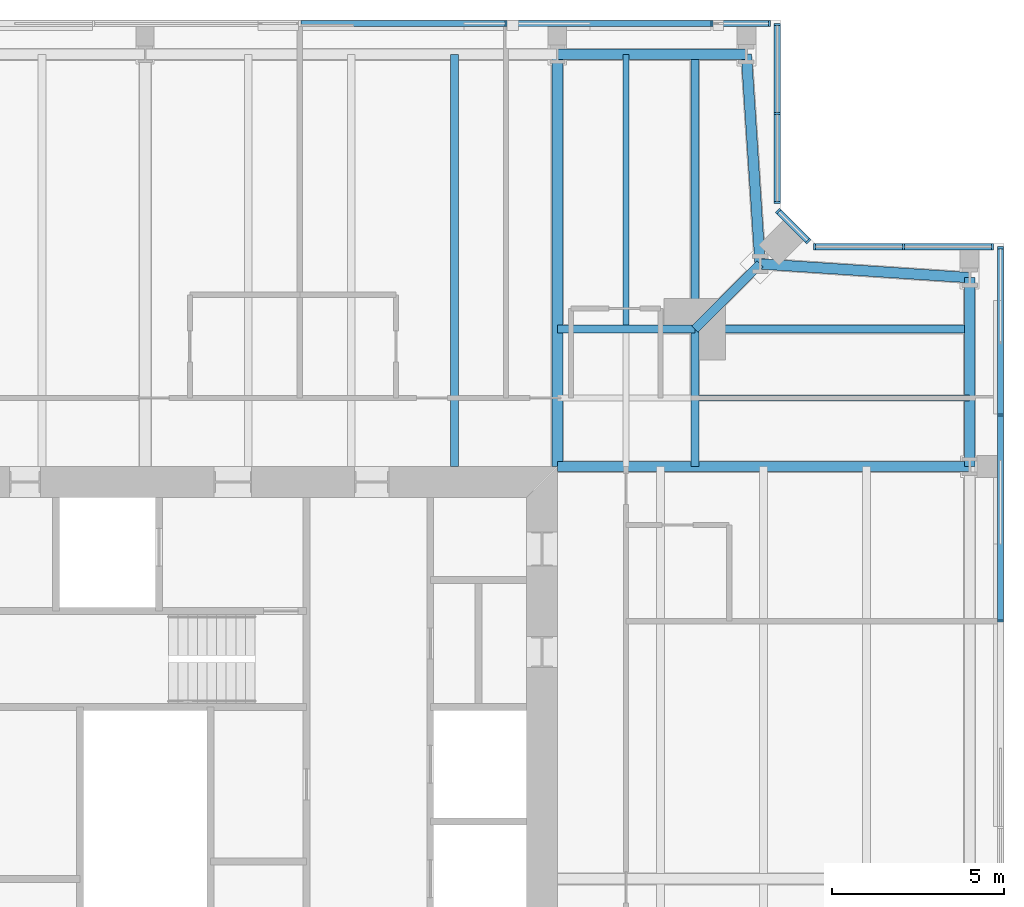
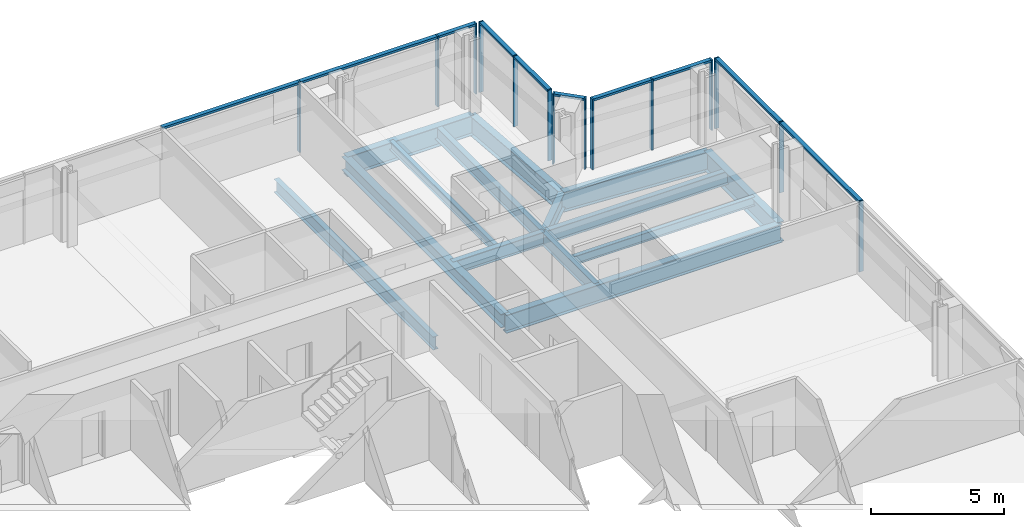
# One storey, part 9 of 19: 24 members, 14 beams, 5 elements without a shape of their own.
"""IFC4 building model written with IfcOpenShell, lengths in metres."""

from ifc_helpers import new_model, si_unit, direction, frame, origin, origin_2d, place, context, subcontext, project, spatial, rectangle, i_section, extrude, material, material_profile, profile_set, type_object, element, aggregate, save


model = new_model("IFC4")

# Units and contexts
model_context = context("Model", 3, precision=1e-05, world=origin(), true_north=direction((0.0, 1.0)))
body_context = subcontext(model_context, "Body", "Model", "MODEL_VIEW")
ifc_project = project(units=[si_unit("LENGTHUNIT", "METRE"), si_unit("AREAUNIT", "SQUARE_METRE"), si_unit("VOLUMEUNIT", "CUBIC_METRE"), si_unit("PLANEANGLEUNIT", "RADIAN"), si_unit("MASSUNIT", "GRAM", prefix="KILO")], contexts=[model_context])

# Site, building, storey
site_placement = place(None, origin())
site = spatial("IfcSite", under=ifc_project, at=site_placement, CompositionType="ELEMENT")
building_placement = place(site_placement, origin())
building = spatial("IfcBuilding", under=site, at=building_placement, Name="Fenwick Lantern Interchange", CompositionType="ELEMENT")
storey_placement = place(building_placement, frame((0.0, 0.0, 273.0)))
storey = spatial("IfcBuildingStorey", under=building, at=storey_placement, Name="L65", CompositionType="ELEMENT", Elevation=273.0)

# Beams
ifc_material_1 = material(Name="Steel ASTM A992 Grade 50", Category="steel")
ifc_material_profile_1 = material_profile(ifc_material_1, i_section(OverallWidth=0.3046875, OverallDepth=0.911865234375, WebThickness=0.015869140625, FlangeThickness=0.02392578125, at=origin_2d()), Name="W36X150")
ifc_profile_set_1 = profile_set([ifc_material_profile_1], Name="Steel ASTM A992 Grade 50")
beam_type_1 = type_object("IfcBeamType", Name="EDGE BEAM W36X150", PredefinedType="SPANDREL", material=ifc_profile_set_1)
beam_1_placement = place(storey_placement, frame((49.0, 37.0, -0.60595703125), z_axis=(0.0, 1.0, 0.0), x_axis=(-1.0, 0.0, 0.0)))
element("IfcBeam", 1, at=beam_1_placement, inside=storey, type_object=beam_type_1, Name="L65/FR/E/EB4", PredefinedType="SPANDREL", context=body_context, shape_type="SweptSolid", body=[
    extrude(i_section(OverallWidth=0.3046875, OverallDepth=0.911865234375, WebThickness=0.015869140625, FlangeThickness=0.02392578125, at=origin_2d()), origin(), (0.0, 0.0, 1.0), 5.5),
])
for number, where, z_axis, x_axis, name in (
    (2, (49.0, 42.5, -0.60595703125), (-0.997858060337, 0.065416293237, 0.0), (-0.065416293237, -0.997858060337, 0.0), "L65/FR/E/EBR1"),
    (3, (42.89990234375, 42.89990234375, -0.60595703125), (-0.065416293237, 0.997858060337, 0.0), (-0.997858060337, -0.065416293237, 0.0), "L65/FR/E/EBR2"),
):
    element("IfcBeam", number, at=place(storey_placement, frame(where, z_axis=z_axis, x_axis=x_axis)), inside=storey, type_object=beam_type_1, Name=name, PredefinedType="SPANDREL", context=body_context, shape_type="SweptSolid", body=[
        extrude(i_section(OverallWidth=0.3046875, OverallDepth=0.911865234375, WebThickness=0.015869140625, FlangeThickness=0.02392578125, at=origin_2d()), origin(), (0.0, 0.0, 1.0), 6.11328125),
    ])
beam_2_placement = place(storey_placement, frame((42.5, 49.0, -0.60595703125), z_axis=(-1.0, 0.0, 0.0), x_axis=(0.0, -1.0, 0.0)))
element("IfcBeam", 4, at=beam_2_placement, inside=storey, type_object=beam_type_1, Name="L65/FR/N/EB1", PredefinedType="SPANDREL", context=body_context, shape_type="SweptSolid", body=[
    extrude(i_section(OverallWidth=0.3046875, OverallDepth=0.911865234375, WebThickness=0.015869140625, FlangeThickness=0.02392578125, at=origin_2d()), origin(), (0.0, 0.0, 1.0), 5.5),
])
ifc_material_profile_2 = material_profile(ifc_material_1, i_section(OverallWidth=0.22900390625, OverallDepth=0.612060546875, WebThickness=0.011962890625, FlangeThickness=0.01953125, at=origin_2d()), Name="W24X84")
ifc_profile_set_2 = profile_set([ifc_material_profile_2], Name="Steel ASTM A992 Grade 50")
beam_type_2 = type_object("IfcBeamType", Name="FLOOR BEAM W24X84", PredefinedType="BEAM", material=ifc_profile_set_2)
beam_3_placement = place(storey_placement, frame((34.0, 49.0, -0.4560546875), z_axis=(0.0, -1.0, 0.0), x_axis=(1.0, 0.0, 0.0)))
element("IfcBeam", 5, at=beam_3_placement, inside=storey, type_object=beam_type_2, Name="L65/FR/N/R02", PredefinedType="BEAM", context=body_context, shape_type="SweptSolid", body=[
    extrude(i_section(OverallWidth=0.22900390625, OverallDepth=0.612060546875, WebThickness=0.011962890625, FlangeThickness=0.01953125, at=origin_2d()), origin(), (0.0, 0.0, 1.0), 12.0),
])

# Curtain wall, members
ifc_material_2 = material(Name="Aluminium curtain wall frame", Category="aluminium")
curtain_wall_type = type_object("IfcCurtainWallType", Name="HOTEL CURTAIN WALL", PredefinedType="USERDEFINED", material=ifc_material_2)
curtain_wall_1_placement = place(storey_placement, origin())
curtain_wall_1 = element("IfcCurtainWall", 6, at=curtain_wall_1_placement, inside=storey, type_object=curtain_wall_type, Name="Hotel curtain wall 05", ObjectType="HOTEL CURTAIN WALL", PredefinedType="USERDEFINED")
ifc_material_3 = material(Name="Aluminium extrusion", Category="aluminium")
ifc_material_profile_3 = material_profile(ifc_material_3, rectangle(XDim=0.179931640625, YDim=0.06005859375, at=origin_2d()), Name="HOTEL CURTAIN WALL MULLION 60 X 180")
ifc_profile_set_3 = profile_set([ifc_material_profile_3], Name="Aluminium extrusion")
member_type_1 = type_object("IfcMemberType", Name="HOTEL CURTAIN WALL MULLION 60 X 180", PredefinedType="MULLION", material=ifc_profile_set_3)
member_1_placement = place(storey_placement, frame((49.89990234375, 32.5, 0.0), z_axis=(0.0, 0.0, 1.0), x_axis=(-1.0, 0.0, 0.0)))
member_1 = element("IfcMember", 7, at=member_1_placement, type_object=member_type_1, Name="L65/CW/05/M05", PredefinedType="MULLION", context=body_context, shape_type="SweptSolid", body=[
    extrude(rectangle(XDim=0.179931640625, YDim=0.06005859375, at=origin_2d()), origin(), (0.0, 0.0, 1.0), 3.25),
])
member_2_placement = place(storey_placement, frame((49.89990234375, 38.5, 0.0), z_axis=(0.0, 0.0, 1.0), x_axis=(-1.0, 0.0, 0.0)))
member_2 = element("IfcMember", 8, at=member_2_placement, type_object=member_type_1, Name="L65/CW/05/M06", PredefinedType="MULLION", context=body_context, shape_type="SweptSolid", body=[
    extrude(rectangle(XDim=0.179931640625, YDim=0.06005859375, at=origin_2d()), origin(), (0.0, 0.0, 1.0), 3.25),
])
member_3_placement = place(storey_placement, frame((49.89990234375, 43.3701171875, 0.0), z_axis=(0.0, 0.0, 1.0), x_axis=(-1.0, 0.0, 0.0)))
member_3 = element("IfcMember", 9, at=member_3_placement, type_object=member_type_1, Name="L65/CW/05/M07", PredefinedType="MULLION", context=body_context, shape_type="SweptSolid", body=[
    extrude(rectangle(XDim=0.179931640625, YDim=0.06005859375, at=origin_2d()), origin(), (0.0, 0.0, 1.0), 3.25),
])

curtain_wall_2_placement = place(storey_placement, origin())
curtain_wall_2 = element("IfcCurtainWall", 10, at=curtain_wall_2_placement, inside=storey, type_object=curtain_wall_type, Name="Hotel curtain wall 06", ObjectType="HOTEL CURTAIN WALL", PredefinedType="USERDEFINED")
member_4_placement = place(storey_placement, frame((49.669921875, 43.39990234375, 0.0), z_axis=(0.0, 0.0, 1.0), x_axis=(0.0, -1.0, 0.0)))
member_4 = element("IfcMember", 11, at=member_4_placement, type_object=member_type_1, Name="L65/CW/06/M00", PredefinedType="MULLION", context=body_context, shape_type="SweptSolid", body=[
    extrude(rectangle(XDim=0.179931640625, YDim=0.06005859375, at=origin_2d()), origin(), (0.0, 0.0, 1.0), 3.25),
])
member_5_placement = place(storey_placement, frame((47.079345703125, 43.39990234375, 0.0), z_axis=(0.0, 0.0, 1.0), x_axis=(0.0, -1.0, 0.0)))
member_5 = element("IfcMember", 12, at=member_5_placement, type_object=member_type_1, Name="L65/CW/06/M01", PredefinedType="MULLION", context=body_context, shape_type="SweptSolid", body=[
    extrude(rectangle(XDim=0.179931640625, YDim=0.06005859375, at=origin_2d()), origin(), (0.0, 0.0, 1.0), 3.25),
])
member_6_placement = place(storey_placement, frame((44.488525390625, 43.39990234375, 0.0), z_axis=(0.0, 0.0, 1.0), x_axis=(0.0, -1.0, 0.0)))
member_6 = element("IfcMember", 13, at=member_6_placement, type_object=member_type_1, Name="L65/CW/06/M02", PredefinedType="MULLION", context=body_context, shape_type="SweptSolid", body=[
    extrude(rectangle(XDim=0.179931640625, YDim=0.06005859375, at=origin_2d()), origin(), (0.0, 0.0, 1.0), 3.25),
])

curtain_wall_3_placement = place(storey_placement, origin())
curtain_wall_3 = element("IfcCurtainWall", 14, at=curtain_wall_3_placement, inside=storey, type_object=curtain_wall_type, Name="Hotel curtain wall 07", ObjectType="HOTEL CURTAIN WALL", PredefinedType="USERDEFINED")
member_7_placement = place(storey_placement, frame((44.2958984375, 43.562744140625, 0.0), z_axis=(0.0, 0.0, 1.0), x_axis=(-0.707106781187, -0.707106781187, 0.0)))
member_7 = element("IfcMember", 15, at=member_7_placement, type_object=member_type_1, Name="L65/CW/07/M00", PredefinedType="MULLION", context=body_context, shape_type="SweptSolid", body=[
    extrude(rectangle(XDim=0.179931640625, YDim=0.06005859375, at=origin_2d()), origin(), (0.0, 0.0, 1.0), 3.25),
])
member_8_placement = place(storey_placement, frame((43.421142578125, 44.437255859375, 0.0), z_axis=(0.0, 0.0, 1.0), x_axis=(-0.707106781187, -0.707106781187, 0.0)))
member_8 = element("IfcMember", 16, at=member_8_placement, type_object=member_type_1, Name="L65/CW/07/M01", PredefinedType="MULLION", context=body_context, shape_type="SweptSolid", body=[
    extrude(rectangle(XDim=0.179931640625, YDim=0.06005859375, at=origin_2d()), origin(), (0.0, 0.0, 1.0), 3.25),
])

curtain_wall_4_placement = place(storey_placement, origin())
curtain_wall_4 = element("IfcCurtainWall", 17, at=curtain_wall_4_placement, inside=storey, type_object=curtain_wall_type, Name="Hotel curtain wall 08", ObjectType="HOTEL CURTAIN WALL", PredefinedType="USERDEFINED")
member_9_placement = place(storey_placement, frame((43.39990234375, 44.6884765625, 0.0), z_axis=(0.0, 0.0, 1.0), x_axis=(-1.0, 0.0, 0.0)))
member_9 = element("IfcMember", 18, at=member_9_placement, type_object=member_type_1, Name="L65/CW/08/M00", PredefinedType="MULLION", context=body_context, shape_type="SweptSolid", body=[
    extrude(rectangle(XDim=0.179931640625, YDim=0.06005859375, at=origin_2d()), origin(), (0.0, 0.0, 1.0), 3.25),
])
member_10_placement = place(storey_placement, frame((43.39990234375, 47.279296875, 0.0), z_axis=(0.0, 0.0, 1.0), x_axis=(-1.0, 0.0, 0.0)))
member_10 = element("IfcMember", 19, at=member_10_placement, type_object=member_type_1, Name="L65/CW/08/M01", PredefinedType="MULLION", context=body_context, shape_type="SweptSolid", body=[
    extrude(rectangle(XDim=0.179931640625, YDim=0.06005859375, at=origin_2d()), origin(), (0.0, 0.0, 1.0), 3.25),
])
member_11_placement = place(storey_placement, frame((43.39990234375, 49.8701171875, 0.0), z_axis=(0.0, 0.0, 1.0), x_axis=(-1.0, 0.0, 0.0)))
member_11 = element("IfcMember", 20, at=member_11_placement, type_object=member_type_1, Name="L65/CW/08/M02", PredefinedType="MULLION", context=body_context, shape_type="SweptSolid", body=[
    extrude(rectangle(XDim=0.179931640625, YDim=0.06005859375, at=origin_2d()), origin(), (0.0, 0.0, 1.0), 3.25),
])

curtain_wall_5_placement = place(storey_placement, origin())
curtain_wall_5 = element("IfcCurtainWall", 21, at=curtain_wall_5_placement, inside=storey, type_object=curtain_wall_type, Name="Hotel curtain wall 09", ObjectType="HOTEL CURTAIN WALL", PredefinedType="USERDEFINED")
member_12_placement = place(storey_placement, frame((43.169921875, 49.89990234375, 0.0), z_axis=(0.0, 0.0, 1.0), x_axis=(0.0, -1.0, 0.0)))
member_12 = element("IfcMember", 22, at=member_12_placement, type_object=member_type_1, Name="L65/CW/09/M00", PredefinedType="MULLION", context=body_context, shape_type="SweptSolid", body=[
    extrude(rectangle(XDim=0.179931640625, YDim=0.06005859375, at=origin_2d()), origin(), (0.0, 0.0, 1.0), 3.25),
])
member_13_placement = place(storey_placement, frame((41.5, 49.89990234375, 0.0), z_axis=(0.0, 0.0, 1.0), x_axis=(0.0, -1.0, 0.0)))
member_13 = element("IfcMember", 23, at=member_13_placement, type_object=member_type_1, Name="L65/CW/09/M01", PredefinedType="MULLION", context=body_context, shape_type="SweptSolid", body=[
    extrude(rectangle(XDim=0.179931640625, YDim=0.06005859375, at=origin_2d()), origin(), (0.0, 0.0, 1.0), 3.25),
])
member_14_placement = place(storey_placement, frame((35.5, 49.89990234375, 0.0), z_axis=(0.0, 0.0, 1.0), x_axis=(0.0, -1.0, 0.0)))
member_14 = element("IfcMember", 24, at=member_14_placement, type_object=member_type_1, Name="L65/CW/09/M02", PredefinedType="MULLION", context=body_context, shape_type="SweptSolid", body=[
    extrude(rectangle(XDim=0.179931640625, YDim=0.06005859375, at=origin_2d()), origin(), (0.0, 0.0, 1.0), 3.25),
])

# Member
ifc_material_profile_4 = material_profile(ifc_material_3, rectangle(XDim=0.179931640625, YDim=0.10009765625, at=origin_2d()), Name="HOTEL CURTAIN WALL TRANSOM 100 X 180")
ifc_profile_set_4 = profile_set([ifc_material_profile_4], Name="Aluminium extrusion")
member_type_2 = type_object("IfcMemberType", Name="HOTEL CURTAIN WALL TRANSOM 100 X 180", PredefinedType="MULLION", material=ifc_profile_set_4)
member_15_placement = place(storey_placement, frame((49.89990234375, 32.530029296875, 3.199951171875), z_axis=(0.0, 1.0, 0.0), x_axis=(-1.0, 0.0, 0.0)))
member_15 = element("IfcMember", 25, at=member_15_placement, type_object=member_type_2, Name="L65/CW/05/T05", PredefinedType="MULLION", context=body_context, shape_type="SweptSolid", body=[
    extrude(rectangle(XDim=0.179931640625, YDim=0.10009765625, at=origin_2d()), origin(), (0.0, 0.0, 1.0), 5.93994140625),
])

member_16_placement = place(storey_placement, frame((49.89990234375, 38.530029296875, 3.199951171875), z_axis=(0.0, 1.0, 0.0), x_axis=(-1.0, 0.0, 0.0)))
member_16 = element("IfcMember", 26, at=member_16_placement, type_object=member_type_2, Name="L65/CW/05/T06", PredefinedType="MULLION", context=body_context, shape_type="SweptSolid", body=[
    extrude(rectangle(XDim=0.179931640625, YDim=0.10009765625, at=origin_2d()), origin(), (0.0, 0.0, 1.0), 4.81005859375),
])

aggregate(curtain_wall_1, [member_1, member_2, member_3, member_15, member_16])

member_17_placement = place(storey_placement, frame((49.639892578125, 43.39990234375, 3.199951171875), z_axis=(-1.0, 0.0, 0.0), x_axis=(0.0, -1.0, 0.0)))
member_17 = element("IfcMember", 27, at=member_17_placement, type_object=member_type_2, Name="L65/CW/06/T00", PredefinedType="MULLION", context=body_context, shape_type="SweptSolid", body=[
    extrude(rectangle(XDim=0.179931640625, YDim=0.10009765625, at=origin_2d()), origin(), (0.0, 0.0, 1.0), 2.530517578125),
])

member_18_placement = place(storey_placement, frame((47.04931640625, 43.39990234375, 3.199951171875), z_axis=(-1.0, 0.0, 0.0), x_axis=(0.0, -1.0, 0.0)))
member_18 = element("IfcMember", 28, at=member_18_placement, type_object=member_type_2, Name="L65/CW/06/T01", PredefinedType="MULLION", context=body_context, shape_type="SweptSolid", body=[
    extrude(rectangle(XDim=0.179931640625, YDim=0.10009765625, at=origin_2d()), origin(), (0.0, 0.0, 1.0), 2.53076171875),
])

aggregate(curtain_wall_2, [member_4, member_5, member_6, member_17, member_18])

member_19_placement = place(storey_placement, frame((44.274658203125, 43.583740234375, 3.199951171875), z_axis=(-0.707003077033, 0.707210470133, 0.0), x_axis=(-0.707210470133, -0.707003077033, 0.0)))
member_19 = element("IfcMember", 29, at=member_19_placement, type_object=member_type_2, Name="L65/CW/07/T00", PredefinedType="MULLION", context=body_context, shape_type="SweptSolid", body=[
    extrude(rectangle(XDim=0.179931640625, YDim=0.10009765625, at=origin_2d()), origin(), (0.0, 0.0, 1.0), 1.17724609375),
])

aggregate(curtain_wall_3, [member_7, member_8, member_19])

member_20_placement = place(storey_placement, frame((43.39990234375, 44.718505859375, 3.199951171875), z_axis=(0.0, 1.0, 0.0), x_axis=(-1.0, 0.0, 0.0)))
member_20 = element("IfcMember", 30, at=member_20_placement, type_object=member_type_2, Name="L65/CW/08/T00", PredefinedType="MULLION", context=body_context, shape_type="SweptSolid", body=[
    extrude(rectangle(XDim=0.179931640625, YDim=0.10009765625, at=origin_2d()), origin(), (0.0, 0.0, 1.0), 2.53076171875),
])

member_21_placement = place(storey_placement, frame((43.39990234375, 47.309326171875, 3.199951171875), z_axis=(0.0, 1.0, 0.0), x_axis=(-1.0, 0.0, 0.0)))
member_21 = element("IfcMember", 31, at=member_21_placement, type_object=member_type_2, Name="L65/CW/08/T01", PredefinedType="MULLION", context=body_context, shape_type="SweptSolid", body=[
    extrude(rectangle(XDim=0.179931640625, YDim=0.10009765625, at=origin_2d()), origin(), (0.0, 0.0, 1.0), 2.53076171875),
])

aggregate(curtain_wall_4, [member_9, member_10, member_11, member_20, member_21])

member_22_placement = place(storey_placement, frame((43.139892578125, 49.89990234375, 3.199951171875), z_axis=(-1.0, 0.0, 0.0), x_axis=(0.0, -1.0, 0.0)))
member_22 = element("IfcMember", 32, at=member_22_placement, type_object=member_type_2, Name="L65/CW/09/T00", PredefinedType="MULLION", context=body_context, shape_type="SweptSolid", body=[
    extrude(rectangle(XDim=0.179931640625, YDim=0.10009765625, at=origin_2d()), origin(), (0.0, 0.0, 1.0), 1.60986328125),
])

member_23_placement = place(storey_placement, frame((41.469970703125, 49.89990234375, 3.199951171875), z_axis=(-1.0, 0.0, 0.0), x_axis=(0.0, -1.0, 0.0)))
member_23 = element("IfcMember", 33, at=member_23_placement, type_object=member_type_2, Name="L65/CW/09/T01", PredefinedType="MULLION", context=body_context, shape_type="SweptSolid", body=[
    extrude(rectangle(XDim=0.179931640625, YDim=0.10009765625, at=origin_2d()), origin(), (0.0, 0.0, 1.0), 5.93994140625),
])

member_24_placement = place(storey_placement, frame((35.469970703125, 49.89990234375, 3.199951171875), z_axis=(-1.0, 0.0, 0.0), x_axis=(0.0, -1.0, 0.0)))
member_24 = element("IfcMember", 34, at=member_24_placement, type_object=member_type_2, Name="L65/CW/09/T02", PredefinedType="MULLION", context=body_context, shape_type="SweptSolid", body=[
    extrude(rectangle(XDim=0.179931640625, YDim=0.10009765625, at=origin_2d()), origin(), (0.0, 0.0, 1.0), 5.93994140625),
])

aggregate(curtain_wall_5, [member_12, member_13, member_14, member_22, member_23, member_24])

# Beams
ifc_material_profile_5 = material_profile(ifc_material_1, i_section(OverallWidth=0.177734375, OverallDepth=0.406494140625, WebThickness=0.0078125, FlangeThickness=0.012939453125, at=origin_2d()), Name="W16X40")
ifc_profile_set_5 = profile_set([ifc_material_profile_5], Name="Steel ASTM A992 Grade 50")
beam_type_3 = type_object("IfcBeamType", Name="INFILL BEAM W16X40", PredefinedType="JOIST", material=ifc_profile_set_5)
for number, where, z_axis, x_axis, name in (
    (35, (39.0, 49.0, -0.353271484375), (0.0, -1.0, 0.0), (1.0, 0.0, 0.0), "L65/FR/N/J1"),
    (36, (49.0, 39.0, -0.353271484375), (-1.0, 0.0, 0.0), (0.0, -1.0, 0.0), "L65/FR/N/J3"),
):
    element("IfcBeam", number, at=place(storey_placement, frame(where, z_axis=z_axis, x_axis=x_axis)), inside=storey, type_object=beam_type_3, Name=name, PredefinedType="JOIST", context=body_context, shape_type="SweptSolid", body=[
        extrude(i_section(OverallWidth=0.177734375, OverallDepth=0.406494140625, WebThickness=0.0078125, FlangeThickness=0.012939453125, at=origin_2d()), origin(), (0.0, 0.0, 1.0), 7.885498046875),
    ])
ifc_material_profile_6 = material_profile(ifc_material_1, i_section(OverallWidth=0.22900390625, OverallDepth=0.612060546875, WebThickness=0.011962890625, FlangeThickness=0.01953125, at=origin_2d()), Name="W24X84")
ifc_profile_set_6 = profile_set([ifc_material_profile_6], Name="Steel ASTM A992 Grade 50")
beam_type_4 = type_object("IfcBeamType", Name="MEGA COLUMN BEAM W24X84", PredefinedType="BEAM", material=ifc_profile_set_6)
for number, where, z_axis, x_axis, name in (
    (37, (41.0, 41.0, -0.4560546875), (0.0, 1.0, 0.0), (-1.0, 0.0, 0.0), "L65/FR/N/MB1"),
    (38, (41.0, 41.0, -0.4560546875), (1.0, 0.0, 0.0), (0.0, 1.0, 0.0), "L65/FR/N/MB2"),
):
    element("IfcBeam", number, at=place(storey_placement, frame(where, z_axis=z_axis, x_axis=x_axis)), inside=storey, type_object=beam_type_4, Name=name, PredefinedType="BEAM", context=body_context, shape_type="SweptSolid", body=[
        extrude(i_section(OverallWidth=0.22900390625, OverallDepth=0.612060546875, WebThickness=0.011962890625, FlangeThickness=0.01953125, at=origin_2d()), origin(), (0.0, 0.0, 1.0), 8.0),
    ])
for number, where, z_axis, x_axis, name in (
    (39, (41.0, 41.0, -0.4560546875), (-1.0, 0.0, 0.0), (0.0, -1.0, 0.0), "L65/FR/N/MB3"),
    (40, (41.0, 41.0, -0.4560546875), (0.0, -1.0, 0.0), (1.0, 0.0, 0.0), "L65/FR/N/MB4"),
):
    element("IfcBeam", number, at=place(storey_placement, frame(where, z_axis=z_axis, x_axis=x_axis)), inside=storey, type_object=beam_type_4, Name=name, PredefinedType="BEAM", context=body_context, shape_type="SweptSolid", body=[
        extrude(i_section(OverallWidth=0.22900390625, OverallDepth=0.612060546875, WebThickness=0.011962890625, FlangeThickness=0.01953125, at=origin_2d()), origin(), (0.0, 0.0, 1.0), 4.0),
    ])
ifc_material_profile_7 = material_profile(ifc_material_1, i_section(OverallWidth=0.32763671875, OverallDepth=0.622314453125, WebThickness=0.015380859375, FlangeThickness=0.0244140625, at=origin_2d()), Name="W24X131")
ifc_profile_set_7 = profile_set([ifc_material_profile_7], Name="Steel ASTM A992 Grade 50")
beam_type_5 = type_object("IfcBeamType", Name="MOMENT-CONNECTED GIRDER W24X131", PredefinedType="BEAM", material=ifc_profile_set_7)
beam_4_placement = place(storey_placement, frame((37.0, 49.0, -0.461181640625), z_axis=(0.0, -1.0, 0.0), x_axis=(1.0, 0.0, 0.0)))
element("IfcBeam", 41, at=beam_4_placement, inside=storey, type_object=beam_type_5, Name="L65/FR/N/R01", PredefinedType="BEAM", context=body_context, shape_type="SweptSolid", body=[
    extrude(i_section(OverallWidth=0.32763671875, OverallDepth=0.622314453125, WebThickness=0.015380859375, FlangeThickness=0.0244140625, at=origin_2d()), origin(), (0.0, 0.0, 1.0), 12.0),
])
ifc_material_profile_8 = material_profile(ifc_material_1, i_section(OverallWidth=0.2919921875, OverallDepth=0.845703125, WebThickness=0.015380859375, FlangeThickness=0.0244140625, at=origin_2d()), Name="W33X141")
ifc_profile_set_8 = profile_set([ifc_material_profile_8], Name="Steel ASTM A992 Grade 50")
beam_type_6 = type_object("IfcBeamType", Name="MOMENT-CONNECTED GIRDER W33X141", PredefinedType="BEAM", material=ifc_profile_set_8)
beam_5_placement = place(storey_placement, frame((49.0, 37.0, -0.572998046875), z_axis=(-1.0, 0.0, 0.0), x_axis=(0.0, -1.0, 0.0)))
element("IfcBeam", 42, at=beam_5_placement, inside=storey, type_object=beam_type_6, Name="L65/FR/E/R03", PredefinedType="BEAM", context=body_context, shape_type="SweptSolid", body=[
    extrude(i_section(OverallWidth=0.2919921875, OverallDepth=0.845703125, WebThickness=0.015380859375, FlangeThickness=0.0244140625, at=origin_2d()), origin(), (0.0, 0.0, 1.0), 12.0),
])
ifc_material_profile_9 = material_profile(ifc_material_1, i_section(OverallWidth=0.2666015625, OverallDepth=0.7568359375, WebThickness=0.013916015625, FlangeThickness=0.019287109375, at=origin_2d()), Name="W30X108")
ifc_profile_set_9 = profile_set([ifc_material_profile_9], Name="Steel ASTM A992 Grade 50")
beam_type_7 = type_object("IfcBeamType", Name="NOTCH BEAM W30X108", PredefinedType="BEAM", material=ifc_profile_set_9)
beam_6_placement = place(storey_placement, frame((41.0, 41.0, -0.528564453125), z_axis=(0.707106781187, 0.707106781187, 0.0), x_axis=(-0.707106781187, 0.707106781187, 0.0)))
element("IfcBeam", 43, at=beam_6_placement, inside=storey, type_object=beam_type_7, Name="L65/FR/N/TG", PredefinedType="BEAM", context=body_context, shape_type="SweptSolid", body=[
    extrude(i_section(OverallWidth=0.2666015625, OverallDepth=0.7568359375, WebThickness=0.013916015625, FlangeThickness=0.019287109375, at=origin_2d()), origin(), (0.0, 0.0, 1.0), 2.686767578125),
])

save(model, "model.ifc")
